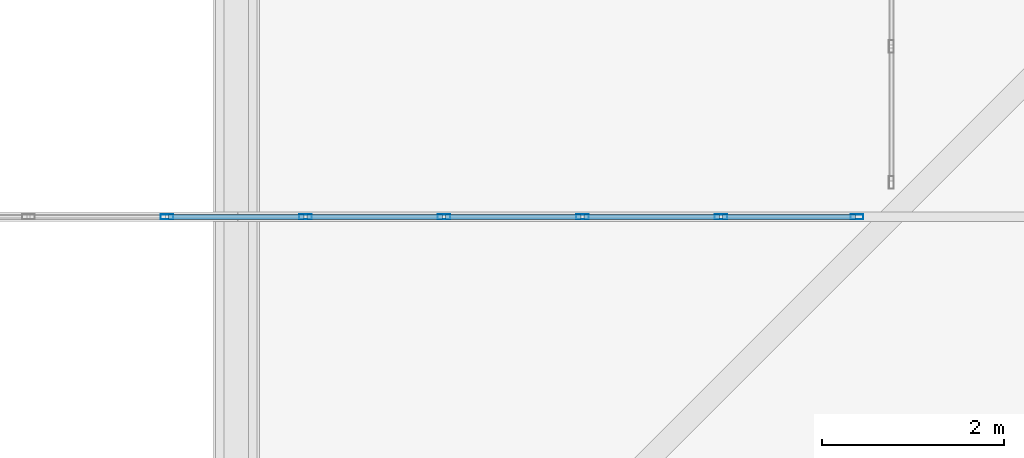
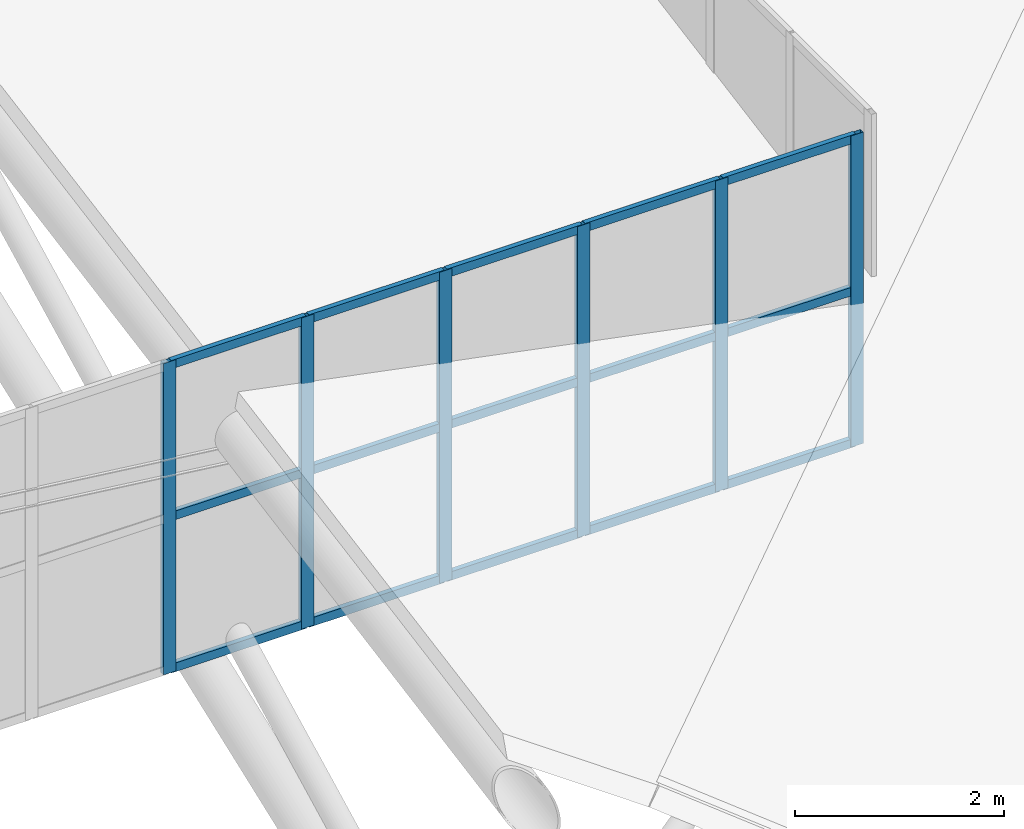
# One storey, part 119 of 397: 21 members, 1 element without a shape of its own.
"""IFC4 building model written with IfcOpenShell, lengths in metres."""

from ifc_helpers import new_model, si_unit, direction, frame, origin, origin_2d, place, context, subcontext, project, spatial, hollow_rectangle, extrude, material, material_profile, profile_set, type_object, element, aggregate, save


model = new_model("IFC4")

# Units and contexts
model_context = context("Model", 3, precision=1e-05, world=origin(), true_north=direction((0.0, 1.0)))
body_context = subcontext(model_context, "Body", "Model", "MODEL_VIEW")
ifc_project = project(units=[si_unit("LENGTHUNIT", "METRE"), si_unit("AREAUNIT", "SQUARE_METRE"), si_unit("VOLUMEUNIT", "CUBIC_METRE"), si_unit("PLANEANGLEUNIT", "RADIAN"), si_unit("MASSUNIT", "GRAM", prefix="KILO")], contexts=[model_context])

# Site, building, storey
site_placement = place(None, origin())
site = spatial("IfcSite", under=ifc_project, at=site_placement, CompositionType="ELEMENT")
building_placement = place(site_placement, origin())
building = spatial("IfcBuilding", under=site, at=building_placement, Name="Qandorah Velis Arena", CompositionType="ELEMENT")
storey_placement = place(building_placement, frame((0.0, 0.0, 27.5)))
storey = spatial("IfcBuildingStorey", under=building, at=storey_placement, Name="RF", CompositionType="ELEMENT", Elevation=27.5)

# Curtain wall, members
ifc_material_1 = material(Name="Solar-control low-E double glazing", Category="glass")
curtain_wall_type = type_object("IfcCurtainWallType", Name="ARC-CW-SYS24", PredefinedType="USERDEFINED", material=ifc_material_1)
curtain_wall_placement = place(storey_placement, origin())
curtain_wall = element("IfcCurtainWall", 1, at=curtain_wall_placement, inside=storey, type_object=curtain_wall_type, Name="Unitised curtain wall MON-3-6", ObjectType="UNITISED CURTAIN WALL", PredefinedType="USERDEFINED")
ifc_material_2 = material(Name="Champagne-bronze anodized aluminium 6063-T6", Category="aluminium")
ifc_material_profile_1 = material_profile(ifc_material_2, hollow_rectangle(XDim=0.054931640625, YDim=0.139892578125, WallThickness=0.0029296875, at=origin_2d()), Name="ALU MULLION 55x140")
ifc_profile_set_1 = profile_set([ifc_material_profile_1], Name="Champagne-bronze anodized aluminium 6063-T6")
member_type_1 = type_object("IfcMemberType", Name="ARC-CWM-140", PredefinedType="MULLION", material=ifc_profile_set_1)
member_1_placement = place(storey_placement, frame((100.038818359375, 21.60009765625, 3.625732421875), z_axis=(0.0, 0.0, 1.0), x_axis=(0.0, 1.0, 0.0)))
member_1 = element("IfcMember", 2, at=member_1_placement, type_object=member_type_1, Name="CW24 mullion 5", PredefinedType="MULLION", context=body_context, shape_type="SweptSolid", body=[
    extrude(hollow_rectangle(XDim=0.054931640625, YDim=0.139892578125, WallThickness=0.0029296875, at=origin_2d()), origin(), (0.0, 0.0, 1.0), 3.630126953125),
])
member_2_placement = place(storey_placement, frame((101.56103515625, 21.60009765625, 3.625732421875), z_axis=(0.0, 0.0, 1.0), x_axis=(0.0, 1.0, 0.0)))
member_2 = element("IfcMember", 3, at=member_2_placement, type_object=member_type_1, Name="CW24 mullion 6", PredefinedType="MULLION", context=body_context, shape_type="SweptSolid", body=[
    extrude(hollow_rectangle(XDim=0.054931640625, YDim=0.139892578125, WallThickness=0.0029296875, at=origin_2d()), origin(), (0.0, 0.0, 1.0), 3.630126953125),
])
member_3_placement = place(storey_placement, frame((103.083251953125, 21.60009765625, 3.625732421875), z_axis=(0.0, 0.0, 1.0), x_axis=(0.0, 1.0, 0.0)))
member_3 = element("IfcMember", 4, at=member_3_placement, type_object=member_type_1, Name="CW24 mullion 7", PredefinedType="MULLION", context=body_context, shape_type="SweptSolid", body=[
    extrude(hollow_rectangle(XDim=0.054931640625, YDim=0.139892578125, WallThickness=0.0029296875, at=origin_2d()), origin(), (0.0, 0.0, 1.0), 3.630126953125),
])
member_4_placement = place(storey_placement, frame((104.60546875, 21.60009765625, 3.625732421875), z_axis=(0.0, 0.0, 1.0), x_axis=(0.0, 1.0, 0.0)))
member_4 = element("IfcMember", 5, at=member_4_placement, type_object=member_type_1, Name="CW24 mullion 8", PredefinedType="MULLION", context=body_context, shape_type="SweptSolid", body=[
    extrude(hollow_rectangle(XDim=0.054931640625, YDim=0.139892578125, WallThickness=0.0029296875, at=origin_2d()), origin(), (0.0, 0.0, 1.0), 3.630126953125),
])
member_5_placement = place(storey_placement, frame((106.127685546875, 21.60009765625, 3.625732421875), z_axis=(0.0, 0.0, 1.0), x_axis=(0.0, 1.0, 0.0)))
member_5 = element("IfcMember", 6, at=member_5_placement, type_object=member_type_1, Name="CW24 mullion 9", PredefinedType="MULLION", context=body_context, shape_type="SweptSolid", body=[
    extrude(hollow_rectangle(XDim=0.054931640625, YDim=0.139892578125, WallThickness=0.0029296875, at=origin_2d()), origin(), (0.0, 0.0, 1.0), 3.630126953125),
])
member_6_placement = place(storey_placement, frame((107.62255859375, 21.60009765625, 3.625732421875), z_axis=(0.0, 0.0, 1.0), x_axis=(0.0, 1.0, 0.0)))
member_6 = element("IfcMember", 7, at=member_6_placement, type_object=member_type_1, Name="CW24 mullion 10", PredefinedType="MULLION", context=body_context, shape_type="SweptSolid", body=[
    extrude(hollow_rectangle(XDim=0.054931640625, YDim=0.139892578125, WallThickness=0.0029296875, at=origin_2d()), origin(), (0.0, 0.0, 1.0), 3.630126953125),
])
ifc_material_profile_2 = material_profile(ifc_material_2, hollow_rectangle(XDim=0.054931640625, YDim=0.10009765625, WallThickness=0.0029296875, at=origin_2d()), Name="ALU TRANSOM 55x100")
ifc_profile_set_2 = profile_set([ifc_material_profile_2], Name="Champagne-bronze anodized aluminium 6063-T6")
member_type_2 = type_object("IfcMemberType", Name="ARC-CWT-100", PredefinedType="USERDEFINED", material=ifc_profile_set_2)
member_7_placement = place(storey_placement, frame((100.054443359375, 21.60009765625, 3.668212890625), z_axis=(1.0, 0.0, 0.0), x_axis=(0.0, 1.0, 0.0)))
member_7 = element("IfcMember", 8, at=member_7_placement, type_object=member_type_2, Name="CW24 transom 5.1", ObjectType="TRANSOM", PredefinedType="USERDEFINED", context=body_context, shape_type="SweptSolid", body=[
    extrude(hollow_rectangle(XDim=0.054931640625, YDim=0.10009765625, WallThickness=0.0029296875, at=origin_2d()), origin(), (0.0, 0.0, 1.0), 1.4912109375),
])
member_8_placement = place(storey_placement, frame((100.054443359375, 21.60009765625, 5.44091796875), z_axis=(1.0, 0.0, 0.0), x_axis=(0.0, 1.0, 0.0)))
member_8 = element("IfcMember", 9, at=member_8_placement, type_object=member_type_2, Name="CW24 transom 5.2", ObjectType="TRANSOM", PredefinedType="USERDEFINED", context=body_context, shape_type="SweptSolid", body=[
    extrude(hollow_rectangle(XDim=0.054931640625, YDim=0.10009765625, WallThickness=0.0029296875, at=origin_2d()), origin(), (0.0, 0.0, 1.0), 1.4912109375),
])
member_9_placement = place(storey_placement, frame((100.054443359375, 21.60009765625, 7.21337890625), z_axis=(1.0, 0.0, 0.0), x_axis=(0.0, 1.0, 0.0)))
member_9 = element("IfcMember", 10, at=member_9_placement, type_object=member_type_2, Name="CW24 transom 5.3", ObjectType="TRANSOM", PredefinedType="USERDEFINED", context=body_context, shape_type="SweptSolid", body=[
    extrude(hollow_rectangle(XDim=0.054931640625, YDim=0.10009765625, WallThickness=0.0029296875, at=origin_2d()), origin(), (0.0, 0.0, 1.0), 1.4912109375),
])
member_10_placement = place(storey_placement, frame((101.57666015625, 21.60009765625, 3.668212890625), z_axis=(1.0, 0.0, 0.0), x_axis=(0.0, 1.0, 0.0)))
member_10 = element("IfcMember", 11, at=member_10_placement, type_object=member_type_2, Name="CW24 transom 6.1", ObjectType="TRANSOM", PredefinedType="USERDEFINED", context=body_context, shape_type="SweptSolid", body=[
    extrude(hollow_rectangle(XDim=0.054931640625, YDim=0.10009765625, WallThickness=0.0029296875, at=origin_2d()), origin(), (0.0, 0.0, 1.0), 1.4912109375),
])
member_11_placement = place(storey_placement, frame((101.57666015625, 21.60009765625, 5.44091796875), z_axis=(1.0, 0.0, 0.0), x_axis=(0.0, 1.0, 0.0)))
member_11 = element("IfcMember", 12, at=member_11_placement, type_object=member_type_2, Name="CW24 transom 6.2", ObjectType="TRANSOM", PredefinedType="USERDEFINED", context=body_context, shape_type="SweptSolid", body=[
    extrude(hollow_rectangle(XDim=0.054931640625, YDim=0.10009765625, WallThickness=0.0029296875, at=origin_2d()), origin(), (0.0, 0.0, 1.0), 1.4912109375),
])
member_12_placement = place(storey_placement, frame((101.57666015625, 21.60009765625, 7.21337890625), z_axis=(1.0, 0.0, 0.0), x_axis=(0.0, 1.0, 0.0)))
member_12 = element("IfcMember", 13, at=member_12_placement, type_object=member_type_2, Name="CW24 transom 6.3", ObjectType="TRANSOM", PredefinedType="USERDEFINED", context=body_context, shape_type="SweptSolid", body=[
    extrude(hollow_rectangle(XDim=0.054931640625, YDim=0.10009765625, WallThickness=0.0029296875, at=origin_2d()), origin(), (0.0, 0.0, 1.0), 1.4912109375),
])
member_13_placement = place(storey_placement, frame((103.098876953125, 21.60009765625, 3.668212890625), z_axis=(1.0, 0.0, 0.0), x_axis=(0.0, 1.0, 0.0)))
member_13 = element("IfcMember", 14, at=member_13_placement, type_object=member_type_2, Name="CW24 transom 7.1", ObjectType="TRANSOM", PredefinedType="USERDEFINED", context=body_context, shape_type="SweptSolid", body=[
    extrude(hollow_rectangle(XDim=0.054931640625, YDim=0.10009765625, WallThickness=0.0029296875, at=origin_2d()), origin(), (0.0, 0.0, 1.0), 1.4912109375),
])
member_14_placement = place(storey_placement, frame((103.098876953125, 21.60009765625, 5.44091796875), z_axis=(1.0, 0.0, 0.0), x_axis=(0.0, 1.0, 0.0)))
member_14 = element("IfcMember", 15, at=member_14_placement, type_object=member_type_2, Name="CW24 transom 7.2", ObjectType="TRANSOM", PredefinedType="USERDEFINED", context=body_context, shape_type="SweptSolid", body=[
    extrude(hollow_rectangle(XDim=0.054931640625, YDim=0.10009765625, WallThickness=0.0029296875, at=origin_2d()), origin(), (0.0, 0.0, 1.0), 1.4912109375),
])
member_15_placement = place(storey_placement, frame((103.098876953125, 21.60009765625, 7.21337890625), z_axis=(1.0, 0.0, 0.0), x_axis=(0.0, 1.0, 0.0)))
member_15 = element("IfcMember", 16, at=member_15_placement, type_object=member_type_2, Name="CW24 transom 7.3", ObjectType="TRANSOM", PredefinedType="USERDEFINED", context=body_context, shape_type="SweptSolid", body=[
    extrude(hollow_rectangle(XDim=0.054931640625, YDim=0.10009765625, WallThickness=0.0029296875, at=origin_2d()), origin(), (0.0, 0.0, 1.0), 1.4912109375),
])
member_16_placement = place(storey_placement, frame((104.62109375, 21.60009765625, 3.668212890625), z_axis=(1.0, 0.0, 0.0), x_axis=(0.0, 1.0, 0.0)))
member_16 = element("IfcMember", 17, at=member_16_placement, type_object=member_type_2, Name="CW24 transom 8.1", ObjectType="TRANSOM", PredefinedType="USERDEFINED", context=body_context, shape_type="SweptSolid", body=[
    extrude(hollow_rectangle(XDim=0.054931640625, YDim=0.10009765625, WallThickness=0.0029296875, at=origin_2d()), origin(), (0.0, 0.0, 1.0), 1.4912109375),
])
member_17_placement = place(storey_placement, frame((104.62109375, 21.60009765625, 5.44091796875), z_axis=(1.0, 0.0, 0.0), x_axis=(0.0, 1.0, 0.0)))
member_17 = element("IfcMember", 18, at=member_17_placement, type_object=member_type_2, Name="CW24 transom 8.2", ObjectType="TRANSOM", PredefinedType="USERDEFINED", context=body_context, shape_type="SweptSolid", body=[
    extrude(hollow_rectangle(XDim=0.054931640625, YDim=0.10009765625, WallThickness=0.0029296875, at=origin_2d()), origin(), (0.0, 0.0, 1.0), 1.4912109375),
])
member_18_placement = place(storey_placement, frame((104.62109375, 21.60009765625, 7.21337890625), z_axis=(1.0, 0.0, 0.0), x_axis=(0.0, 1.0, 0.0)))
member_18 = element("IfcMember", 19, at=member_18_placement, type_object=member_type_2, Name="CW24 transom 8.3", ObjectType="TRANSOM", PredefinedType="USERDEFINED", context=body_context, shape_type="SweptSolid", body=[
    extrude(hollow_rectangle(XDim=0.054931640625, YDim=0.10009765625, WallThickness=0.0029296875, at=origin_2d()), origin(), (0.0, 0.0, 1.0), 1.4912109375),
])
member_19_placement = place(storey_placement, frame((106.143310546875, 21.60009765625, 3.668212890625), z_axis=(1.0, 0.0, 0.0), x_axis=(0.0, 1.0, 0.0)))
member_19 = element("IfcMember", 20, at=member_19_placement, type_object=member_type_2, Name="CW24 transom 9.1", ObjectType="TRANSOM", PredefinedType="USERDEFINED", context=body_context, shape_type="SweptSolid", body=[
    extrude(hollow_rectangle(XDim=0.054931640625, YDim=0.10009765625, WallThickness=0.0029296875, at=origin_2d()), origin(), (0.0, 0.0, 1.0), 1.463623046875),
])
member_20_placement = place(storey_placement, frame((106.143310546875, 21.60009765625, 5.44091796875), z_axis=(1.0, 0.0, 0.0), x_axis=(0.0, 1.0, 0.0)))
member_20 = element("IfcMember", 21, at=member_20_placement, type_object=member_type_2, Name="CW24 transom 9.2", ObjectType="TRANSOM", PredefinedType="USERDEFINED", context=body_context, shape_type="SweptSolid", body=[
    extrude(hollow_rectangle(XDim=0.054931640625, YDim=0.10009765625, WallThickness=0.0029296875, at=origin_2d()), origin(), (0.0, 0.0, 1.0), 1.463623046875),
])
member_21_placement = place(storey_placement, frame((106.143310546875, 21.60009765625, 7.21337890625), z_axis=(1.0, 0.0, 0.0), x_axis=(0.0, 1.0, 0.0)))
member_21 = element("IfcMember", 22, at=member_21_placement, type_object=member_type_2, Name="CW24 transom 9.3", ObjectType="TRANSOM", PredefinedType="USERDEFINED", context=body_context, shape_type="SweptSolid", body=[
    extrude(hollow_rectangle(XDim=0.054931640625, YDim=0.10009765625, WallThickness=0.0029296875, at=origin_2d()), origin(), (0.0, 0.0, 1.0), 1.463623046875),
])
aggregate(curtain_wall, [member_1, member_2, member_3, member_4, member_5, member_6, member_7, member_8, member_9, member_10, member_11, member_12, member_13, member_14, member_15, member_16, member_17, member_18, member_19, member_20, member_21])

save(model, "model.ifc")
